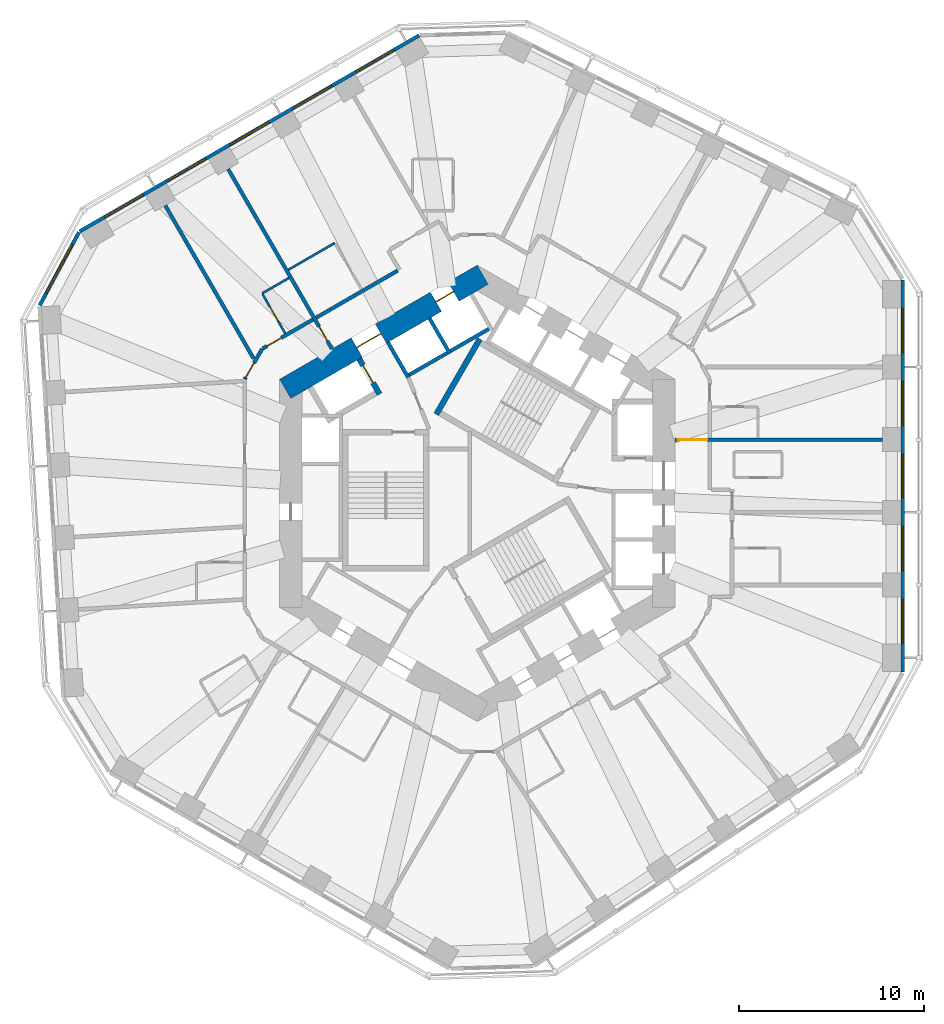
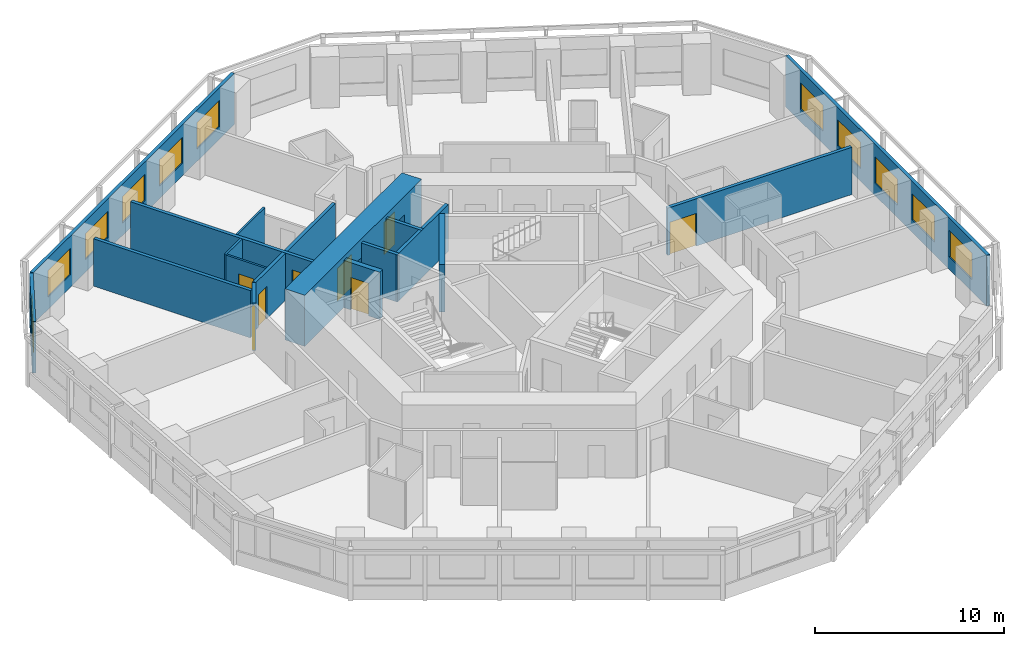
# One storey, part 7 of 12: 18 walls, 11 windows, 8 doors, 19 openings.
"""IFC4 building model written with IfcOpenShell, lengths in metres."""

from ifc_helpers import new_model, si_unit, direction, frame, frame_2d, origin, place, context, subcontext, project, spatial, rectangle, extrude, material, layer, layer_set, type_object, element, fill, save


model = new_model("IFC4")

# Units and contexts
model_context = context("Model", 3, precision=1e-05, world=origin(), true_north=direction((0.0, 1.0)))
body_context = subcontext(model_context, "Body", "Model", "MODEL_VIEW")
ifc_project = project(units=[si_unit("LENGTHUNIT", "METRE"), si_unit("AREAUNIT", "SQUARE_METRE"), si_unit("VOLUMEUNIT", "CUBIC_METRE"), si_unit("PLANEANGLEUNIT", "RADIAN"), si_unit("MASSUNIT", "GRAM", prefix="KILO")], contexts=[model_context])

# Site, building, storey
site_placement = place(None, origin())
site = spatial("IfcSite", under=ifc_project, at=site_placement, CompositionType="ELEMENT")
building_placement = place(site_placement, origin())
building = spatial("IfcBuilding", under=site, at=building_placement, Name="Vanh Sen Convention Tower", CompositionType="ELEMENT")
storey_placement = place(building_placement, frame((0.0, 0.0, 50.60009765625)))
storey = spatial("IfcBuildingStorey", under=building, at=storey_placement, Name="L09", CompositionType="ELEMENT", Elevation=50.60009765625)

# Wall
ifc_material_1 = material(Name="Moisture-resistant gypsum board on steel studs", Category="steel")
ifc_layer_1 = layer(ifc_material_1, 0.1201171875)
ifc_layer_set_1 = layer_set([ifc_layer_1], Name="Moisture-resistant gypsum board on steel studs")
wall_type_1 = type_object("IfcWallType", Name="Bathroom partition 120", PredefinedType="PARTITIONING", material=ifc_layer_set_1)
wall_1_placement = place(storey_placement, frame((-11.65087890625, 10.82470703125, 0.0), z_axis=(0.0, 0.0, 1.0), x_axis=(0.865998477143, 0.500046635412, 0.0)))
element("IfcWall", 1, at=wall_1_placement, inside=storey, type_object=wall_type_1, Name="Bathroom partition 120", PredefinedType="PARTITIONING", context=body_context, shape_type="SweptSolid", body=[
    extrude(rectangle(XDim=1.673095703125, YDim=0.1201171875, at=frame_2d((0.83642578125, 0.0))), origin(), (0.0, 0.0, 1.0), 3.0498046875),
])

# Wall, opening, door
wall_2_placement = place(storey_placement, frame((-10.40087890625, 8.65966796875, 0.0), z_axis=(0.0, 0.0, 1.0), x_axis=(-0.500077547548, 0.865980627057, 0.0)))
wall_2 = element("IfcWall", 2, at=wall_2_placement, inside=storey, type_object=wall_type_1, Name="Bathroom partition 120", PredefinedType="PARTITIONING", context=body_context, shape_type="SweptSolid", body=[
    extrude(rectangle(XDim=2.43994140625, YDim=0.1201171875, at=frame_2d((1.219970703125, 0.0))), origin(), (0.0, 0.0, 1.0), 3.0498046875),
])
opening_1_placement = place(wall_2_placement, frame((0.77001953125, 0.0, 0.0)))
opening_1 = element("IfcOpeningElement", 3, at=opening_1_placement, cuts=wall_2, Name="Opening D07117", PredefinedType="OPENING", context=body_context, shape_type="SweptSolid", body=[
    extrude(rectangle(XDim=0.89990234375, YDim=2.10009765625, at=frame_2d((0.449951171875, 1.050048828125))), frame((0.0, 0.070068359375, 0.0), z_axis=(0.0, -1.0, 0.0), x_axis=(1.0, 0.0, 0.0)), (0.0, 0.0, 1.0), 0.14013671875),
])
ifc_material_2 = material(Name="Laminate door in steel frame", Category="steel")
door_type_1 = type_object("IfcDoorType", Name="En-suite door 900", OperationType="SINGLE_SWING_LEFT", PredefinedType="DOOR", material=ifc_material_2)
door_1_placement = place(opening_1_placement, origin())
door_1 = element("IfcDoor", 4, at=door_1_placement, inside=storey, type_object=door_type_1, Name="En-suite door D07117", OperationType="SINGLE_SWING_LEFT", OverallHeight=2.10009765625, OverallWidth=0.89990234375, PredefinedType="DOOR", context=body_context, shape_type="SweptSolid", body=[
    extrude(rectangle(XDim=0.89990234375, YDim=2.10009765625, at=frame_2d((0.449951171875, 1.050048828125))), frame((0.0, 0.02490234375, 0.0), z_axis=(0.0, -1.0, 0.0), x_axis=(1.0, 0.0, 0.0)), (0.0, 0.0, 1.0), 0.050048828125),
])
fill(opening_1, door_1)

# Wall
wall_3_placement = place(storey_placement, frame((-10.228759765625, 12.107666015625, 0.0), z_axis=(0.0, 0.0, 1.0), x_axis=(0.866032775405, 0.499987231761, 0.0)))
element("IfcWall", 5, at=wall_3_placement, inside=storey, type_object=wall_type_1, Name="Bathroom partition 120", PredefinedType="PARTITIONING", context=body_context, shape_type="SweptSolid", body=[
    extrude(rectangle(XDim=2.89990234375, YDim=0.1201171875, at=frame_2d((1.449951171875, 0.0))), origin(), (0.0, 0.0, 1.0), 3.0498046875),
])

# Wall, openings, doors
ifc_material_3 = material(Name="Concrete C80/95", Category="concrete")
ifc_layer_2 = layer(ifc_material_3, 1.199951171875)
ifc_layer_set_2 = layer_set([ifc_layer_2], Name="Concrete C80/95")
wall_type_2 = type_object("IfcWallType", Name="Core outer wall 1200 C80/95", PredefinedType="SHEAR", material=ifc_layer_set_2)
wall_4_placement = place(storey_placement, frame((0.300048828125, 11.835693359375, 0.0), z_axis=(0.0, 0.0, 1.0), x_axis=(-0.866021384402, -0.500006961711, 0.0)))
wall_4 = element("IfcWall", 6, at=wall_4_placement, inside=storey, type_object=wall_type_2, Name="Core wall face NW L09", PredefinedType="SHEAR", context=body_context, shape_type="SweptSolid", body=[
    extrude(rectangle(XDim=12.355224609375, YDim=1.199951171875, at=frame_2d((6.177734375, 0.0))), origin(), (0.0, 0.0, 1.0), 3.2998046875),
])
opening_2_placement = place(wall_4_placement, frame((6.377685546875, 0.0, 0.0)))
opening_2 = element("IfcOpeningElement", 7, at=opening_2_placement, cuts=wall_4, Name="Opening D07002", PredefinedType="OPENING", context=body_context, shape_type="SweptSolid", body=[
    extrude(rectangle(XDim=1.5, YDim=2.10009765625, at=frame_2d((0.75, 1.050048828125))), frame((0.0, 0.60986328125, 0.0), z_axis=(0.0, -1.0, 0.0), x_axis=(1.0, 0.0, 0.0)), (0.0, 0.0, 1.0), 1.219970703125),
])
opening_3_placement = place(wall_4_placement, frame((1.82763671875, 0.0, 0.0)))
opening_3 = element("IfcOpeningElement", 8, at=opening_3_placement, cuts=wall_4, Name="Opening LD-LR6", PredefinedType="OPENING", context=body_context, shape_type="SweptSolid", body=[
    extrude(rectangle(XDim=1.10009765625, YDim=2.10009765625, at=frame_2d((0.550048828125, 1.050048828125))), frame((0.0, 0.60986328125, 0.0), z_axis=(0.0, -1.0, 0.0), x_axis=(1.0, 0.0, 0.0)), (0.0, 0.0, 1.0), 1.219970703125),
])
ifc_material_4 = material(Name="Stainless steel", Category="steel")
door_type_2 = type_object("IfcDoorType", Name="Lift landing door 1100", OperationType="DOUBLE_DOOR_SLIDING", PredefinedType="DOOR", material=ifc_material_4)
door_2_placement = place(opening_3_placement, origin())
door_2 = element("IfcDoor", 9, at=door_2_placement, inside=storey, type_object=door_type_2, Name="Lift LR6 landing door LD-LR6", OperationType="DOUBLE_DOOR_SLIDING", OverallHeight=2.10009765625, OverallWidth=1.10009765625, PredefinedType="DOOR", context=body_context, shape_type="SweptSolid", body=[
    extrude(rectangle(XDim=1.10009765625, YDim=2.10009765625, at=frame_2d((0.550048828125, 1.050048828125))), frame((0.0, 0.02490234375, 0.0), z_axis=(0.0, -1.0, 0.0), x_axis=(1.0, 0.0, 0.0)), (0.0, 0.0, 1.0), 0.050048828125),
])
fill(opening_3, door_2)
ifc_material_5 = material(Name="Steel S355", Category="steel")
door_type_3 = type_object("IfcDoorType", Name="Stair lobby door 1500", OperationType="DOUBLE_DOOR_SINGLE_SWING", PredefinedType="DOOR", material=ifc_material_5)
door_3_placement = place(opening_2_placement, origin())
door_3 = element("IfcDoor", 10, at=door_3_placement, inside=storey, type_object=door_type_3, Name="Stair lobby door D07002", OperationType="DOUBLE_DOOR_SINGLE_SWING", OverallHeight=2.10009765625, OverallWidth=1.5, PredefinedType="DOOR", context=body_context, shape_type="SweptSolid", body=[
    extrude(rectangle(XDim=1.5, YDim=2.10009765625, at=frame_2d((0.75, 1.050048828125))), frame((0.0, 0.02490234375, 0.0), z_axis=(0.0, -1.0, 0.0), x_axis=(1.0, 0.0, 0.0)), (0.0, 0.0, 1.0), 0.050048828125),
])
fill(opening_2, door_3)

# Wall, opening, door
ifc_material_6 = material(Name="Gypsum board on steel studs with mineral wool", Category="steel")
ifc_layer_3 = layer(ifc_material_6, 0.199951171875)
ifc_layer_set_3 = layer_set([ifc_layer_3], Name="Gypsum board on steel studs with mineral wool")
wall_type_3 = type_object("IfcWallType", Name="Corridor partition wall 200", PredefinedType="PARTITIONING", material=ifc_layer_set_3)
wall_5_placement = place(storey_placement, frame((-11.64990234375, 7.822998046875, 0.0), z_axis=(0.0, 0.0, 1.0), x_axis=(-0.500063520245, -0.865988727248, 0.0)))
wall_5 = element("IfcWall", 11, at=wall_5_placement, inside=storey, type_object=wall_type_3, Name="Corridor partition wall 200", PredefinedType="PARTITIONING", context=body_context, shape_type="SweptSolid", body=[
    extrude(rectangle(XDim=1.900146484375, YDim=0.199951171875, at=frame_2d((0.9501953125, 0.0))), origin(), (0.0, 0.0, 1.0), 3.0498046875),
])
opening_4_placement = place(wall_5_placement, frame((0.8818359375, 0.0, 0.0)))
opening_4 = element("IfcOpeningElement", 12, at=opening_4_placement, cuts=wall_5, Name="Opening D07118", PredefinedType="OPENING", context=body_context, shape_type="SweptSolid", body=[
    extrude(rectangle(XDim=0.89990234375, YDim=2.10009765625, at=frame_2d((0.449951171875, 1.050048828125))), frame((0.0, 0.10986328125, 0.0), z_axis=(0.0, -1.0, 0.0), x_axis=(1.0, 0.0, 0.0)), (0.0, 0.0, 1.0), 0.219970703125),
])
ifc_material_7 = material(Name="Timber fire door in steel frame", Category="steel")
door_type_4 = type_object("IfcDoorType", Name="Floor room door 900", OperationType="SINGLE_SWING_LEFT", PredefinedType="DOOR", material=ifc_material_7)
door_4_placement = place(opening_4_placement, origin())
door_4 = element("IfcDoor", 13, at=door_4_placement, inside=storey, type_object=door_type_4, Name="Meeting and amenity room door D07118", OperationType="SINGLE_SWING_LEFT", OverallHeight=2.10009765625, OverallWidth=0.89990234375, PredefinedType="DOOR", context=body_context, shape_type="SweptSolid", body=[
    extrude(rectangle(XDim=0.89990234375, YDim=2.10009765625, at=frame_2d((0.449951171875, 1.050048828125))), frame((0.0, 0.02490234375, 0.0), z_axis=(0.0, -1.0, 0.0), x_axis=(1.0, 0.0, 0.0)), (0.0, 0.0, 1.0), 0.050048828125),
])
fill(opening_4, door_4)

wall_6_placement = place(storey_placement, frame((-8.902099609375, 9.40966796875, 0.0), z_axis=(0.0, 0.0, 1.0), x_axis=(-0.866014299198, -0.500019233215, 0.0)))
wall_6 = element("IfcWall", 14, at=wall_6_placement, inside=storey, type_object=wall_type_3, Name="Corridor partition wall 200", PredefinedType="PARTITIONING", context=body_context, shape_type="SweptSolid", body=[
    extrude(rectangle(XDim=3.13330078125, YDim=0.199951171875, at=frame_2d((1.566650390625, 0.0))), origin(), (0.0, 0.0, 1.0), 3.0498046875),
])
opening_5_placement = place(wall_6_placement, frame((1.97802734375, 0.0, 0.0)))
opening_5 = element("IfcOpeningElement", 15, at=opening_5_placement, cuts=wall_6, Name="Opening D07116", PredefinedType="OPENING", context=body_context, shape_type="SweptSolid", body=[
    extrude(rectangle(XDim=0.89990234375, YDim=2.10009765625, at=frame_2d((0.449951171875, 1.050048828125))), frame((0.0, 0.10986328125, 0.0), z_axis=(0.0, -1.0, 0.0), x_axis=(1.0, 0.0, 0.0)), (0.0, 0.0, 1.0), 0.219970703125),
])
door_type_5 = type_object("IfcDoorType", Name="Guest room door 900", OperationType="SINGLE_SWING_LEFT", PredefinedType="DOOR", material=ifc_material_7)
door_5_placement = place(opening_5_placement, origin())
door_5 = element("IfcDoor", 16, at=door_5_placement, inside=storey, type_object=door_type_5, Name="Hotel guest room door D07116", OperationType="SINGLE_SWING_LEFT", OverallHeight=2.10009765625, OverallWidth=0.89990234375, PredefinedType="DOOR", context=body_context, shape_type="SweptSolid", body=[
    extrude(rectangle(XDim=0.89990234375, YDim=2.10009765625, at=frame_2d((0.449951171875, 1.050048828125))), frame((0.0, 0.02490234375, 0.0), z_axis=(0.0, -1.0, 0.0), x_axis=(1.0, 0.0, 0.0)), (0.0, 0.0, 1.0), 0.050048828125),
])
fill(opening_5, door_5)

# Wall
wall_7_placement = place(storey_placement, frame((-4.30908203125, 12.061279296875, 0.0), z_axis=(0.0, 0.0, 1.0), x_axis=(-0.866020679205, -0.500008183122, 0.0)))
element("IfcWall", 17, at=wall_7_placement, inside=storey, type_object=wall_type_3, Name="Corridor partition wall 200", PredefinedType="PARTITIONING", context=body_context, shape_type="SweptSolid", body=[
    extrude(rectangle(XDim=5.103515625, YDim=0.199951171875, at=frame_2d((2.5517578125, 0.0))), origin(), (0.0, 0.0, 1.0), 3.0498046875),
])

# Wall, openings, windows
ifc_material_8 = material(Name="Insulated lightweight infill wall")
ifc_layer_4 = layer(ifc_material_8, 0.199951171875)
ifc_layer_set_4 = layer_set([ifc_layer_4], Name="Insulated lightweight infill wall")
wall_type_4 = type_object("IfcWallType", Name="External wall 200", PredefinedType="STANDARD", material=ifc_layer_set_4)
wall_8_placement = place(storey_placement, frame((23.050048828125, -9.6865234375, 0.0), z_axis=(0.0, 0.0, 1.0), x_axis=(0.0, 1.0, 0.0)))
wall_8 = element("IfcWall", 18, at=wall_8_placement, inside=storey, type_object=wall_type_4, Name="External wall E L09", PredefinedType="STANDARD", context=body_context, shape_type="SweptSolid", body=[
    extrude(rectangle(XDim=21.24609375, YDim=0.199951171875, at=frame_2d((10.623046875, 0.0))), origin(), (0.0, 0.0, 1.0), 3.2998046875),
])
opening_6_placement = place(wall_8_placement, frame((1.5546875, 0.0, 0.800048828125)))
opening_6 = element("IfcOpeningElement", 19, at=opening_6_placement, cuts=wall_8, Name="Opening WH1-E1", PredefinedType="OPENING", context=body_context, shape_type="SweptSolid", body=[
    extrude(rectangle(XDim=2.39990234375, YDim=1.699951171875, at=frame_2d((1.199951171875, 0.85009765625))), frame((0.0, 0.10986328125, 0.0), z_axis=(0.0, -1.0, 0.0), x_axis=(1.0, 0.0, 0.0)), (0.0, 0.0, 1.0), 0.219970703125),
])
opening_7_placement = place(wall_8_placement, frame((5.4892578125, 0.0, 0.800048828125)))
opening_7 = element("IfcOpeningElement", 20, at=opening_7_placement, cuts=wall_8, Name="Opening WH1-E2", PredefinedType="OPENING", context=body_context, shape_type="SweptSolid", body=[
    extrude(rectangle(XDim=2.39990234375, YDim=1.699951171875, at=frame_2d((1.199951171875, 0.85009765625))), frame((0.0, 0.10986328125, 0.0), z_axis=(0.0, -1.0, 0.0), x_axis=(1.0, 0.0, 0.0)), (0.0, 0.0, 1.0), 0.219970703125),
])
opening_8_placement = place(wall_8_placement, frame((9.423828125, 0.0, 0.800048828125)))
opening_8 = element("IfcOpeningElement", 21, at=opening_8_placement, cuts=wall_8, Name="Opening WH1-E3", PredefinedType="OPENING", context=body_context, shape_type="SweptSolid", body=[
    extrude(rectangle(XDim=2.39990234375, YDim=1.699951171875, at=frame_2d((1.199951171875, 0.85009765625))), frame((0.0, 0.10986328125, 0.0), z_axis=(0.0, -1.0, 0.0), x_axis=(1.0, 0.0, 0.0)), (0.0, 0.0, 1.0), 0.219970703125),
])
opening_9_placement = place(wall_8_placement, frame((13.3583984375, 0.0, 0.800048828125)))
opening_9 = element("IfcOpeningElement", 22, at=opening_9_placement, cuts=wall_8, Name="Opening WH1-E4", PredefinedType="OPENING", context=body_context, shape_type="SweptSolid", body=[
    extrude(rectangle(XDim=2.39990234375, YDim=1.699951171875, at=frame_2d((1.199951171875, 0.85009765625))), frame((0.0, 0.10986328125, 0.0), z_axis=(0.0, -1.0, 0.0), x_axis=(1.0, 0.0, 0.0)), (0.0, 0.0, 1.0), 0.219970703125),
])
opening_10_placement = place(wall_8_placement, frame((17.29296875, 0.0, 0.800048828125)))
opening_10 = element("IfcOpeningElement", 23, at=opening_10_placement, cuts=wall_8, Name="Opening WH1-E5", PredefinedType="OPENING", context=body_context, shape_type="SweptSolid", body=[
    extrude(rectangle(XDim=2.39990234375, YDim=1.699951171875, at=frame_2d((1.199951171875, 0.85009765625))), frame((0.0, 0.10986328125, 0.0), z_axis=(0.0, -1.0, 0.0), x_axis=(1.0, 0.0, 0.0)), (0.0, 0.0, 1.0), 0.219970703125),
])
ifc_material_9 = material(Name="Aluminium frame with clear low-emissivity glass", Category="aluminium")
window_type_1 = type_object("IfcWindowType", Name="Hotel window 2400 x 1700", PartitioningType="SINGLE_PANEL", PredefinedType="WINDOW", material=ifc_material_9)
window_1_placement = place(opening_6_placement, origin())
window_1 = element("IfcWindow", 24, at=window_1_placement, inside=storey, type_object=window_type_1, Name="Window WH1-E1", OverallHeight=1.699951171875, OverallWidth=2.39990234375, PartitioningType="SINGLE_PANEL", PredefinedType="WINDOW", context=body_context, shape_type="SweptSolid", body=[
    extrude(rectangle(XDim=2.39990234375, YDim=1.699951171875, at=frame_2d((1.199951171875, 0.85009765625))), frame((0.0, 0.030029296875, 0.0), z_axis=(0.0, -1.0, 0.0), x_axis=(1.0, 0.0, 0.0)), (0.0, 0.0, 1.0), 0.06005859375),
])
fill(opening_6, window_1)
window_2_placement = place(opening_7_placement, origin())
window_2 = element("IfcWindow", 25, at=window_2_placement, inside=storey, type_object=window_type_1, Name="Window WH1-E2", OverallHeight=1.699951171875, OverallWidth=2.39990234375, PartitioningType="SINGLE_PANEL", PredefinedType="WINDOW", context=body_context, shape_type="SweptSolid", body=[
    extrude(rectangle(XDim=2.39990234375, YDim=1.699951171875, at=frame_2d((1.199951171875, 0.85009765625))), frame((0.0, 0.030029296875, 0.0), z_axis=(0.0, -1.0, 0.0), x_axis=(1.0, 0.0, 0.0)), (0.0, 0.0, 1.0), 0.06005859375),
])
fill(opening_7, window_2)
window_3_placement = place(opening_8_placement, origin())
window_3 = element("IfcWindow", 26, at=window_3_placement, inside=storey, type_object=window_type_1, Name="Window WH1-E3", OverallHeight=1.699951171875, OverallWidth=2.39990234375, PartitioningType="SINGLE_PANEL", PredefinedType="WINDOW", context=body_context, shape_type="SweptSolid", body=[
    extrude(rectangle(XDim=2.39990234375, YDim=1.699951171875, at=frame_2d((1.199951171875, 0.85009765625))), frame((0.0, 0.030029296875, 0.0), z_axis=(0.0, -1.0, 0.0), x_axis=(1.0, 0.0, 0.0)), (0.0, 0.0, 1.0), 0.06005859375),
])
fill(opening_8, window_3)
window_4_placement = place(opening_9_placement, origin())
window_4 = element("IfcWindow", 27, at=window_4_placement, inside=storey, type_object=window_type_1, Name="Window WH1-E4", OverallHeight=1.699951171875, OverallWidth=2.39990234375, PartitioningType="SINGLE_PANEL", PredefinedType="WINDOW", context=body_context, shape_type="SweptSolid", body=[
    extrude(rectangle(XDim=2.39990234375, YDim=1.699951171875, at=frame_2d((1.199951171875, 0.85009765625))), frame((0.0, 0.030029296875, 0.0), z_axis=(0.0, -1.0, 0.0), x_axis=(1.0, 0.0, 0.0)), (0.0, 0.0, 1.0), 0.06005859375),
])
fill(opening_9, window_4)
window_5_placement = place(opening_10_placement, origin())
window_5 = element("IfcWindow", 28, at=window_5_placement, inside=storey, type_object=window_type_1, Name="Window WH1-E5", OverallHeight=1.699951171875, OverallWidth=2.39990234375, PartitioningType="SINGLE_PANEL", PredefinedType="WINDOW", context=body_context, shape_type="SweptSolid", body=[
    extrude(rectangle(XDim=2.39990234375, YDim=1.699951171875, at=frame_2d((1.199951171875, 0.85009765625))), frame((0.0, 0.030029296875, 0.0), z_axis=(0.0, -1.0, 0.0), x_axis=(1.0, 0.0, 0.0)), (0.0, 0.0, 1.0), 0.06005859375),
])
fill(opening_10, window_5)

wall_9_placement = place(storey_placement, frame((-3.135986328125, 24.80517578125, 0.0), z_axis=(0.0, 0.0, 1.0), x_axis=(-0.866028291626, -0.499994998079, 0.0)))
wall_9 = element("IfcWall", 29, at=wall_9_placement, inside=storey, type_object=wall_type_4, Name="External wall NW L09", PredefinedType="STANDARD", context=body_context, shape_type="SweptSolid", body=[
    extrude(rectangle(XDim=21.246337890625, YDim=0.199951171875, at=frame_2d((10.623046875, 0.0))), origin(), (0.0, 0.0, 1.0), 3.2998046875),
])
opening_11_placement = place(wall_9_placement, frame((1.5546875, 0.0, 0.800048828125)))
opening_11 = element("IfcOpeningElement", 30, at=opening_11_placement, cuts=wall_9, Name="Opening WH1-NW1", PredefinedType="OPENING", context=body_context, shape_type="SweptSolid", body=[
    extrude(rectangle(XDim=2.39990234375, YDim=1.699951171875, at=frame_2d((1.199951171875, 0.85009765625))), frame((0.0, 0.10986328125, 0.0), z_axis=(0.0, -1.0, 0.0), x_axis=(1.0, 0.0, 0.0)), (0.0, 0.0, 1.0), 0.219970703125),
])
opening_12_placement = place(wall_9_placement, frame((5.4892578125, 0.0, 0.800048828125)))
opening_12 = element("IfcOpeningElement", 31, at=opening_12_placement, cuts=wall_9, Name="Opening WH1-NW2", PredefinedType="OPENING", context=body_context, shape_type="SweptSolid", body=[
    extrude(rectangle(XDim=2.39990234375, YDim=1.699951171875, at=frame_2d((1.199951171875, 0.85009765625))), frame((0.0, 0.10986328125, 0.0), z_axis=(0.0, -1.0, 0.0), x_axis=(1.0, 0.0, 0.0)), (0.0, 0.0, 1.0), 0.219970703125),
])
opening_13_placement = place(wall_9_placement, frame((9.423828125, 0.0, 0.800048828125)))
opening_13 = element("IfcOpeningElement", 32, at=opening_13_placement, cuts=wall_9, Name="Opening WH1-NW3", PredefinedType="OPENING", context=body_context, shape_type="SweptSolid", body=[
    extrude(rectangle(XDim=2.39990234375, YDim=1.699951171875, at=frame_2d((1.199951171875, 0.85009765625))), frame((0.0, 0.10986328125, 0.0), z_axis=(0.0, -1.0, 0.0), x_axis=(1.0, 0.0, 0.0)), (0.0, 0.0, 1.0), 0.219970703125),
])
opening_14_placement = place(wall_9_placement, frame((13.3583984375, 0.0, 0.800048828125)))
opening_14 = element("IfcOpeningElement", 33, at=opening_14_placement, cuts=wall_9, Name="Opening WH1-NW4", PredefinedType="OPENING", context=body_context, shape_type="SweptSolid", body=[
    extrude(rectangle(XDim=2.39990234375, YDim=1.699951171875, at=frame_2d((1.199951171875, 0.85009765625))), frame((0.0, 0.10986328125, 0.0), z_axis=(0.0, -1.0, 0.0), x_axis=(1.0, 0.0, 0.0)), (0.0, 0.0, 1.0), 0.219970703125),
])
opening_15_placement = place(wall_9_placement, frame((17.293212890625, 0.0, 0.800048828125)))
opening_15 = element("IfcOpeningElement", 34, at=opening_15_placement, cuts=wall_9, Name="Opening WH1-NW5", PredefinedType="OPENING", context=body_context, shape_type="SweptSolid", body=[
    extrude(rectangle(XDim=2.39990234375, YDim=1.699951171875, at=frame_2d((1.199951171875, 0.85009765625))), frame((0.0, 0.10986328125, 0.0), z_axis=(0.0, -1.0, 0.0), x_axis=(1.0, 0.0, 0.0)), (0.0, 0.0, 1.0), 0.219970703125),
])
window_6_placement = place(opening_11_placement, origin())
window_6 = element("IfcWindow", 35, at=window_6_placement, inside=storey, type_object=window_type_1, Name="Window WH1-NW1", OverallHeight=1.699951171875, OverallWidth=2.39990234375, PartitioningType="SINGLE_PANEL", PredefinedType="WINDOW", context=body_context, shape_type="SweptSolid", body=[
    extrude(rectangle(XDim=2.39990234375, YDim=1.699951171875, at=frame_2d((1.199951171875, 0.85009765625))), frame((0.0, 0.030029296875, 0.0), z_axis=(0.0, -1.0, 0.0), x_axis=(1.0, 0.0, 0.0)), (0.0, 0.0, 1.0), 0.06005859375),
])
fill(opening_11, window_6)
window_7_placement = place(opening_12_placement, origin())
window_7 = element("IfcWindow", 36, at=window_7_placement, inside=storey, type_object=window_type_1, Name="Window WH1-NW2", OverallHeight=1.699951171875, OverallWidth=2.39990234375, PartitioningType="SINGLE_PANEL", PredefinedType="WINDOW", context=body_context, shape_type="SweptSolid", body=[
    extrude(rectangle(XDim=2.39990234375, YDim=1.699951171875, at=frame_2d((1.199951171875, 0.85009765625))), frame((0.0, 0.030029296875, 0.0), z_axis=(0.0, -1.0, 0.0), x_axis=(1.0, 0.0, 0.0)), (0.0, 0.0, 1.0), 0.06005859375),
])
fill(opening_12, window_7)
window_8_placement = place(opening_13_placement, origin())
window_8 = element("IfcWindow", 37, at=window_8_placement, inside=storey, type_object=window_type_1, Name="Window WH1-NW3", OverallHeight=1.699951171875, OverallWidth=2.39990234375, PartitioningType="SINGLE_PANEL", PredefinedType="WINDOW", context=body_context, shape_type="SweptSolid", body=[
    extrude(rectangle(XDim=2.39990234375, YDim=1.699951171875, at=frame_2d((1.199951171875, 0.85009765625))), frame((0.0, 0.030029296875, 0.0), z_axis=(0.0, -1.0, 0.0), x_axis=(1.0, 0.0, 0.0)), (0.0, 0.0, 1.0), 0.06005859375),
])
fill(opening_13, window_8)
window_9_placement = place(opening_14_placement, origin())
window_9 = element("IfcWindow", 38, at=window_9_placement, inside=storey, type_object=window_type_1, Name="Window WH1-NW4", OverallHeight=1.699951171875, OverallWidth=2.39990234375, PartitioningType="SINGLE_PANEL", PredefinedType="WINDOW", context=body_context, shape_type="SweptSolid", body=[
    extrude(rectangle(XDim=2.39990234375, YDim=1.699951171875, at=frame_2d((1.199951171875, 0.85009765625))), frame((0.0, 0.030029296875, 0.0), z_axis=(0.0, -1.0, 0.0), x_axis=(1.0, 0.0, 0.0)), (0.0, 0.0, 1.0), 0.06005859375),
])
fill(opening_14, window_9)
window_10_placement = place(opening_15_placement, origin())
window_10 = element("IfcWindow", 39, at=window_10_placement, inside=storey, type_object=window_type_1, Name="Window WH1-NW5", OverallHeight=1.699951171875, OverallWidth=2.39990234375, PartitioningType="SINGLE_PANEL", PredefinedType="WINDOW", context=body_context, shape_type="SweptSolid", body=[
    extrude(rectangle(XDim=2.39990234375, YDim=1.699951171875, at=frame_2d((1.199951171875, 0.85009765625))), frame((0.0, 0.030029296875, 0.0), z_axis=(0.0, -1.0, 0.0), x_axis=(1.0, 0.0, 0.0)), (0.0, 0.0, 1.0), 0.06005859375),
])
fill(opening_15, window_10)

# Wall, opening, window
wall_10_placement = place(storey_placement, frame((-21.573974609375, 14.142822265625, 0.0), z_axis=(0.0, 0.0, 1.0), x_axis=(-0.473292949472, -0.880905093628, 0.0)))
wall_10 = element("IfcWall", 40, at=wall_10_placement, inside=storey, type_object=wall_type_4, Name="External wall CH3 L09", PredefinedType="STANDARD", context=body_context, shape_type="SweptSolid", body=[
    extrude(rectangle(XDim=4.493896484375, YDim=0.199951171875, at=frame_2d((2.2470703125, 0.0))), origin(), (0.0, 0.0, 1.0), 3.2998046875),
])
opening_16_placement = place(wall_10_placement, frame((0.746826171875, 0.0, 0.800048828125)))
opening_16 = element("IfcOpeningElement", 41, at=opening_16_placement, cuts=wall_10, Name="Opening WH2-CH31", PredefinedType="OPENING", context=body_context, shape_type="SweptSolid", body=[
    extrude(rectangle(XDim=3.0, YDim=1.699951171875, at=frame_2d((1.5, 0.85009765625))), frame((0.0, 0.10986328125, 0.0), z_axis=(0.0, -1.0, 0.0), x_axis=(1.0, 0.0, 0.0)), (0.0, 0.0, 1.0), 0.219970703125),
])
window_type_2 = type_object("IfcWindowType", Name="Hotel window 3000 x 1700", PartitioningType="SINGLE_PANEL", PredefinedType="WINDOW", material=ifc_material_9)
window_11_placement = place(opening_16_placement, origin())
window_11 = element("IfcWindow", 42, at=window_11_placement, inside=storey, type_object=window_type_2, Name="Window WH2-CH31", OverallHeight=1.699951171875, OverallWidth=3.0, PartitioningType="SINGLE_PANEL", PredefinedType="WINDOW", context=body_context, shape_type="SweptSolid", body=[
    extrude(rectangle(XDim=3.0, YDim=1.699951171875, at=frame_2d((1.5, 0.85009765625))), frame((0.0, 0.030029296875, 0.0), z_axis=(0.0, -1.0, 0.0), x_axis=(1.0, 0.0, 0.0)), (0.0, 0.0, 1.0), 0.06005859375),
])
fill(opening_16, window_11)

# Wall, opening, door
ifc_material_10 = material(Name="Concrete C60/75", Category="concrete")
ifc_layer_5 = layer(ifc_material_10, 0.300048828125)
ifc_layer_set_5 = layer_set([ifc_layer_5], Name="Concrete C60/75")
wall_type_5 = type_object("IfcWallType", Name="Fire-fighting lift shaft wall 300", PredefinedType="SHEAR", material=ifc_layer_set_5)
wall_11_placement = place(storey_placement, frame((-5.29541015625, 5.3720703125, 0.0), z_axis=(0.0, 0.0, 1.0), x_axis=(-0.500077893725, 0.86598042715, 0.0)))
wall_11 = element("IfcWall", 43, at=wall_11_placement, inside=storey, type_object=wall_type_5, Name="Fire-fighting lift shaft wall L09", PredefinedType="SHEAR", context=body_context, shape_type="SweptSolid", body=[
    extrude(rectangle(XDim=2.199951171875, YDim=0.300048828125, at=frame_2d((1.10009765625, 0.0))), origin(), (0.0, 0.0, 1.0), 3.0498046875),
])
opening_17_placement = place(wall_11_placement, frame((0.699951171875, 0.0, 0.0)))
opening_17 = element("IfcOpeningElement", 44, at=opening_17_placement, cuts=wall_11, Name="Opening LD-FF2", PredefinedType="OPENING", context=body_context, shape_type="SweptSolid", body=[
    extrude(rectangle(XDim=1.10009765625, YDim=2.10009765625, at=frame_2d((0.550048828125, 1.050048828125))), frame((0.0, 0.159912109375, 0.0), z_axis=(0.0, -1.0, 0.0), x_axis=(1.0, 0.0, 0.0)), (0.0, 0.0, 1.0), 0.320068359375),
])
door_type_6 = type_object("IfcDoorType", Name="Fire-fighting lift landing door 1100", OperationType="DOUBLE_DOOR_SLIDING", PredefinedType="DOOR", material=ifc_material_4)
door_6_placement = place(opening_17_placement, origin())
door_6 = element("IfcDoor", 45, at=door_6_placement, inside=storey, type_object=door_type_6, Name="Lift FF2 landing door LD-FF2", OperationType="DOUBLE_DOOR_SLIDING", OverallHeight=2.10009765625, OverallWidth=1.10009765625, PredefinedType="DOOR", context=body_context, shape_type="SweptSolid", body=[
    extrude(rectangle(XDim=1.10009765625, YDim=2.10009765625, at=frame_2d((0.550048828125, 1.050048828125))), frame((0.0, 0.02490234375, 0.0), z_axis=(0.0, -1.0, 0.0), x_axis=(1.0, 0.0, 0.0)), (0.0, 0.0, 1.0), 0.050048828125),
])
fill(opening_17, door_6)

# Walls
ifc_layer_6 = layer(ifc_material_6, 0.199951171875)
ifc_layer_set_6 = layer_set([ifc_layer_6], Name="Gypsum board on steel studs with mineral wool")
wall_type_6 = type_object("IfcWallType", Name="Hotel party wall 200", PredefinedType="PARTITIONING", material=ifc_layer_set_6)
wall_12_placement = place(storey_placement, frame((-16.89794921875, 15.589599609375, 0.0), z_axis=(0.0, 0.0, 1.0), x_axis=(0.500023458698, -0.866011859475, 0.0)))
element("IfcWall", 46, at=wall_12_placement, inside=storey, type_object=wall_type_6, Name="Hotel party wall 200", PredefinedType="PARTITIONING", context=body_context, shape_type="SweptSolid", body=[
    extrude(rectangle(XDim=9.57177734375, YDim=0.199951171875, at=frame_2d((4.785888671875, 0.0))), origin(), (0.0, 0.0, 1.0), 3.0498046875),
])
ifc_material_11 = material(Name="Concrete C40/50", Category="concrete")
ifc_layer_7 = layer(ifc_material_11, 0.199951171875)
ifc_layer_set_7 = layer_set([ifc_layer_7], Name="Concrete C40/50")
wall_type_7 = type_object("IfcWallType", Name="Lift shaft wall 200", PredefinedType="PARTITIONING", material=ifc_layer_set_7)
wall_13_placement = place(storey_placement, frame((0.80322265625, 9.008544921875, 0.0), z_axis=(0.0, 0.0, 1.0), x_axis=(-0.866028230842, -0.499995103361, 0.0)))
element("IfcWall", 47, at=wall_13_placement, inside=storey, type_object=wall_type_7, Name="Lift shaft wall L09", PredefinedType="PARTITIONING", context=body_context, shape_type="SweptSolid", body=[
    extrude(rectangle(XDim=5.39990234375, YDim=0.199951171875, at=frame_2d((2.699951171875, 0.0))), origin(), (0.0, 0.0, 1.0), 3.0498046875),
])
for number, where, z_axis, x_axis, name in (
    (48, (-1.48486328125, 7.572021484375, 0.0), (0.0, 0.0, 1.0), (-0.50002983664, 0.866008176907, 0.0), "Lift shaft wall L09"),
    (49, (-3.736572265625, 6.27197265625, 0.0), (0.0, 0.0, 1.0), (-0.50002983664, 0.866008176907, 0.0), "Lift shaft wall L09"),
):
    element("IfcWall", number, at=place(storey_placement, frame(where, z_axis=z_axis, x_axis=x_axis)), inside=storey, type_object=wall_type_7, Name=name, PredefinedType="PARTITIONING", context=body_context, shape_type="SweptSolid", body=[
        extrude(rectangle(XDim=2.199951171875, YDim=0.199951171875, at=frame_2d((1.10009765625, 0.0))), origin(), (0.0, 0.0, 1.0), 3.0498046875),
    ])
ifc_layer_8 = layer(ifc_material_10, 0.300048828125)
ifc_layer_set_8 = layer_set([ifc_layer_8], Name="Concrete C60/75")
wall_type_8 = type_object("IfcWallType", Name="Stair wall 300", PredefinedType="SHEAR", material=ifc_layer_set_8)
wall_14_placement = place(storey_placement, frame((-2.216064453125, 4.28173828125, 0.0), z_axis=(0.0, 0.0, 1.0), x_axis=(0.499977259774, 0.866038532462, 0.0)))
element("IfcWall", 50, at=wall_14_placement, inside=storey, type_object=wall_type_8, Name="Stair wall L09", PredefinedType="SHEAR", context=body_context, shape_type="SweptSolid", body=[
    extrude(rectangle(XDim=4.699951171875, YDim=0.300048828125, at=frame_2d((2.35009765625, 0.0))), origin(), (0.0, 0.0, 1.0), 3.0498046875),
])

# Wall, opening, door
ifc_material_12 = material(Name="Concrete C20/25", Category="concrete")
ifc_layer_9 = layer(ifc_material_12, 0.199951171875)
ifc_layer_set_9 = layer_set([ifc_layer_9], Name="Concrete C20/25")
wall_type_9 = type_object("IfcWallType", Name="Sub-compartment wall 200", PredefinedType="PARTITIONING", material=ifc_layer_set_9)
wall_15_placement = place(storey_placement, frame((-7.865478515625, 7.814208984375, 0.0), z_axis=(0.0, 0.0, 1.0), x_axis=(-0.500004234368, 0.866022959057, 0.0)))
wall_15 = element("IfcWall", 51, at=wall_15_placement, inside=storey, type_object=wall_type_9, Name="Sub-compartment wall 200", PredefinedType="PARTITIONING", context=body_context, shape_type="SweptSolid", body=[
    extrude(rectangle(XDim=11.25, YDim=0.199951171875, at=frame_2d((5.625, 0.0))), origin(), (0.0, 0.0, 1.0), 3.0498046875),
])
opening_18_placement = place(wall_15_placement, frame((0.5, 0.0, 0.0)))
opening_18 = element("IfcOpeningElement", 52, at=opening_18_placement, cuts=wall_15, Name="Opening D07133", PredefinedType="OPENING", context=body_context, shape_type="SweptSolid", body=[
    extrude(rectangle(XDim=0.89990234375, YDim=2.10009765625, at=frame_2d((0.449951171875, 1.050048828125))), frame((0.0, 0.10986328125, 0.0), z_axis=(0.0, -1.0, 0.0), x_axis=(1.0, 0.0, 0.0)), (0.0, 0.0, 1.0), 0.219970703125),
])
ifc_material_13 = material(Name="Steel S355", Category="steel")
door_type_7 = type_object("IfcDoorType", Name="Corridor fire door 900", OperationType="SINGLE_SWING_LEFT", PredefinedType="DOOR", material=ifc_material_13)
door_7_placement = place(opening_18_placement, origin())
door_7 = element("IfcDoor", 53, at=door_7_placement, inside=storey, type_object=door_type_7, Name="Sub-compartment door D07133", OperationType="SINGLE_SWING_LEFT", OverallHeight=2.10009765625, OverallWidth=0.89990234375, PredefinedType="DOOR", context=body_context, shape_type="SweptSolid", body=[
    extrude(rectangle(XDim=0.89990234375, YDim=2.10009765625, at=frame_2d((0.449951171875, 1.050048828125))), frame((0.0, 0.02490234375, 0.0), z_axis=(0.0, -1.0, 0.0), x_axis=(1.0, 0.0, 0.0)), (0.0, 0.0, 1.0), 0.050048828125),
])
fill(opening_18, door_7)

wall_16_placement = place(storey_placement, frame((21.949951171875, 2.904541015625, 0.0), z_axis=(0.0, 0.0, 1.0), x_axis=(-1.0, 0.0, 0.0)))
wall_16 = element("IfcWall", 54, at=wall_16_placement, inside=storey, type_object=wall_type_9, Name="Sub-compartment wall 200", PredefinedType="PARTITIONING", context=body_context, shape_type="SweptSolid", body=[
    extrude(rectangle(XDim=11.25, YDim=0.199951171875, at=frame_2d((5.625, 0.0))), origin(), (0.0, 0.0, 1.0), 3.0498046875),
])
opening_19_placement = place(wall_16_placement, frame((9.5, 0.0, 0.0)))
opening_19 = element("IfcOpeningElement", 55, at=opening_19_placement, cuts=wall_16, Name="Opening D07134", PredefinedType="OPENING", context=body_context, shape_type="SweptSolid", body=[
    extrude(rectangle(XDim=1.60009765625, YDim=2.10009765625, at=frame_2d((0.800048828125, 1.050048828125))), frame((0.0, 0.10986328125, 0.0), z_axis=(0.0, -1.0, 0.0), x_axis=(1.0, 0.0, 0.0)), (0.0, 0.0, 1.0), 0.219970703125),
])
door_type_8 = type_object("IfcDoorType", Name="Corridor fire door 1600", OperationType="DOUBLE_DOOR_SINGLE_SWING", PredefinedType="DOOR", material=ifc_material_13)
door_8_placement = place(opening_19_placement, origin())
door_8 = element("IfcDoor", 56, at=door_8_placement, inside=storey, type_object=door_type_8, Name="Sub-compartment door D07134", OperationType="DOUBLE_DOOR_SINGLE_SWING", OverallHeight=2.10009765625, OverallWidth=1.60009765625, PredefinedType="DOOR", context=body_context, shape_type="SweptSolid", body=[
    extrude(rectangle(XDim=1.60009765625, YDim=2.10009765625, at=frame_2d((0.800048828125, 1.050048828125))), frame((0.0, 0.02490234375, 0.0), z_axis=(0.0, -1.0, 0.0), x_axis=(1.0, 0.0, 0.0)), (0.0, 0.0, 1.0), 0.050048828125),
])
fill(opening_19, door_8)

save(model, "model.ifc")
